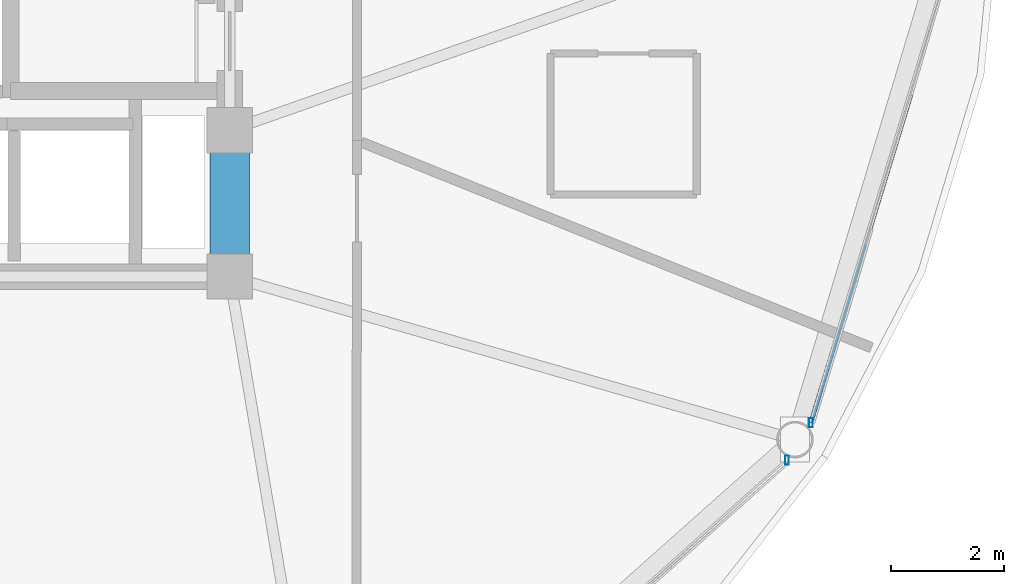
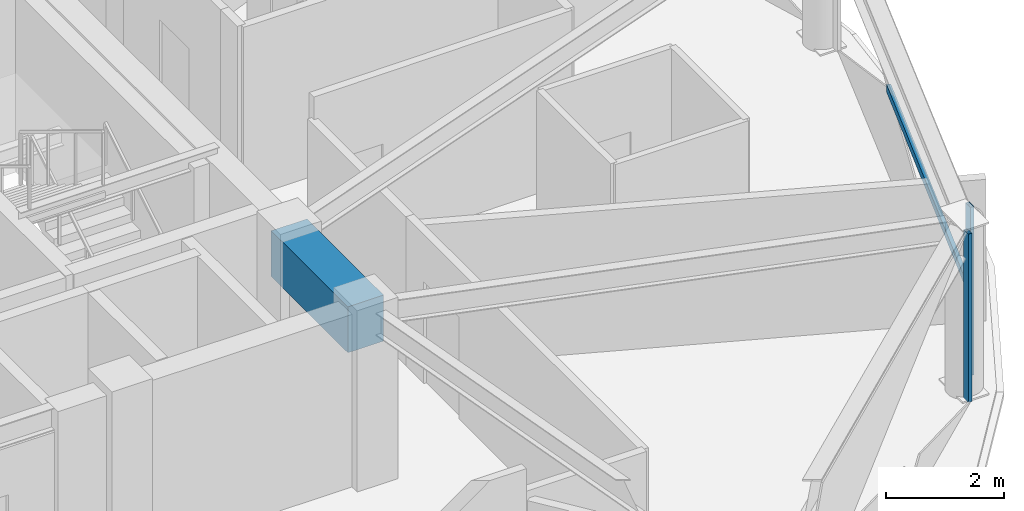
# One storey, part 12 of 30: 3 members, 1 beam, 2 elements without a shape of their own.
"""IFC4 building model written with IfcOpenShell, lengths in metres."""

from ifc_helpers import new_model, si_unit, direction, frame, origin, origin_2d, place, context, subcontext, project, spatial, rectangle, hollow_rectangle, extrude, material, layer, layer_set, material_profile, profile_set, type_object, element, aggregate, save


model = new_model("IFC4")

# Units and contexts
model_context = context("Model", 3, precision=1e-05, world=origin(), true_north=direction((0.0, 1.0)))
body_context = subcontext(model_context, "Body", "Model", "MODEL_VIEW")
ifc_project = project(units=[si_unit("LENGTHUNIT", "METRE"), si_unit("AREAUNIT", "SQUARE_METRE"), si_unit("VOLUMEUNIT", "CUBIC_METRE"), si_unit("PLANEANGLEUNIT", "RADIAN"), si_unit("MASSUNIT", "GRAM", prefix="KILO")], contexts=[model_context])

# Site, building, storey
site_placement = place(None, origin())
site = spatial("IfcSite", under=ifc_project, at=site_placement, CompositionType="ELEMENT")
building_placement = place(site_placement, origin())
building = spatial("IfcBuilding", under=site, at=building_placement, Name="Vantalir Tower", CompositionType="ELEMENT")
storey_placement = place(building_placement, frame((0.0, 0.0, 186.14990234375)))
storey = spatial("IfcBuildingStorey", under=building, at=storey_placement, Name="L46", CompositionType="ELEMENT", Elevation=186.14990234375)

# Beam
ifc_material_1 = material(Name="Concrete C60/75", Category="concrete")
ifc_material_profile_1 = material_profile(ifc_material_1, rectangle(XDim=0.699951171875, YDim=0.949951171875, at=origin_2d()), Name="Concrete C60/75")
ifc_profile_set_1 = profile_set([ifc_material_profile_1], Name="Concrete C60/75")
beam_type = type_object("IfcBeamType", Name="BM-CB-700x950", PredefinedType="USERDEFINED", material=ifc_profile_set_1)
beam_placement = place(storey_placement, frame((41.10009765625, 17.800048828125, 3.09521484375), z_axis=(0.0, 1.0, 0.0), x_axis=(-1.0, 0.0, 0.0)))
element("IfcBeam", 1, at=beam_placement, inside=storey, type_object=beam_type, Name="L46 Core Coupling Girder 05", ObjectType="GIRDER", PredefinedType="USERDEFINED", context=body_context, shape_type="SweptSolid", body=[
    extrude(rectangle(XDim=0.699951171875, YDim=0.949951171875, at=origin_2d()), origin(), (0.0, 0.0, 1.0), 2.599853515625),
])

# Curtain wall, member
ifc_material_2 = material(Name="Champagne-silver PVDF aluminium and double-silver Low-E glass", Category="aluminium")
ifc_layer = layer(ifc_material_2, 0.2099609375)
ifc_layer_set = layer_set([ifc_layer], Name="Champagne-silver PVDF aluminium and double-silver Low-E glass")
curtain_wall_type = type_object("IfcCurtainWallType", Name="CW-DIAMOND-Z3", PredefinedType="USERDEFINED", material=ifc_layer_set)
curtain_wall_1_placement = place(storey_placement, origin())
curtain_wall_1 = element("IfcCurtainWall", 2, at=curtain_wall_1_placement, inside=storey, type_object=curtain_wall_type, Name="L46 Quilted Pyramid-Diamond Curtain Wall S11", ObjectType="UNITISED CURTAIN WALL", PredefinedType="USERDEFINED")
ifc_material_3 = material(Name="Champagne-silver PVDF aluminium 6063-T6", Category="aluminium")
ifc_material_profile_2 = material_profile(ifc_material_3, hollow_rectangle(XDim=0.070068359375, YDim=0.1650390625, WallThickness=0.00390625, at=origin_2d()), Name="Champagne-silver PVDF aluminium 6063-T6")
ifc_profile_set_2 = profile_set([ifc_material_profile_2], Name="Champagne-silver PVDF aluminium 6063-T6")
member_type_1 = type_object("IfcMemberType", Name="CWM-165x70", PredefinedType="MULLION", material=ifc_profile_set_2)
member_1_placement = place(storey_placement, frame((50.9970703125, 14.5380859375, 0.045166015625), z_axis=(0.0, 0.0, 1.0), x_axis=(1.0, 0.0, 0.0)))
member_1 = element("IfcMember", 3, at=member_1_placement, type_object=member_type_1, Name="CW-L46-S11 Mullion 2", PredefinedType="MULLION", context=body_context, shape_type="SweptSolid", body=[
    extrude(hollow_rectangle(XDim=0.070068359375, YDim=0.1650390625, WallThickness=0.00390625, at=origin_2d()), origin(), (0.0, 0.0, 1.0), 3.47998046875),
])
aggregate(curtain_wall_1, [member_1])

# Curtain wall, members
curtain_wall_2_placement = place(storey_placement, origin())
curtain_wall_2 = element("IfcCurtainWall", 4, at=curtain_wall_2_placement, inside=storey, type_object=curtain_wall_type, Name="L46 Quilted Pyramid-Diamond Curtain Wall S12", ObjectType="UNITISED CURTAIN WALL", PredefinedType="USERDEFINED")
member_2_placement = place(storey_placement, frame((51.4208984375, 15.2041015625, 0.045166015625), z_axis=(0.0, 0.0, 1.0), x_axis=(1.0, 0.0, 0.0)))
member_2 = element("IfcMember", 5, at=member_2_placement, type_object=member_type_1, Name="CW-L46-S12 Mullion 1", PredefinedType="MULLION", context=body_context, shape_type="SweptSolid", body=[
    extrude(hollow_rectangle(XDim=0.070068359375, YDim=0.1650390625, WallThickness=0.00390625, at=origin_2d()), origin(), (0.0, 0.0, 1.0), 3.47998046875),
])
ifc_material_profile_3 = material_profile(ifc_material_3, hollow_rectangle(XDim=0.074951171875, YDim=0.159912109375, WallThickness=0.00390625, at=origin_2d()), Name="Champagne-silver PVDF aluminium 6063-T6")
ifc_profile_set_3 = profile_set([ifc_material_profile_3], Name="Champagne-silver PVDF aluminium 6063-T6")
member_type_2 = type_object("IfcMemberType", Name="CWT-160x75", PredefinedType="USERDEFINED", material=ifc_profile_set_3)
member_3_placement = place(storey_placement, frame((51.4208984375, 15.2041015625, 1.78515625), z_axis=(0.291614579356, 0.956535904766, 0.0), x_axis=(-0.956535904766, 0.291614579356, 0.0)))
member_3 = element("IfcMember", 6, at=member_3_placement, type_object=member_type_2, Name="CW-L46-S12 Pyramid Fold Ridge Transom", ObjectType="TRANSOM", PredefinedType="USERDEFINED", context=body_context, shape_type="SweptSolid", body=[
    extrude(hollow_rectangle(XDim=0.074951171875, YDim=0.159912109375, WallThickness=0.00390625, at=origin_2d()), origin(), (0.0, 0.0, 1.0), 6.090576171875),
])
aggregate(curtain_wall_2, [member_2, member_3])

save(model, "model.ifc")
